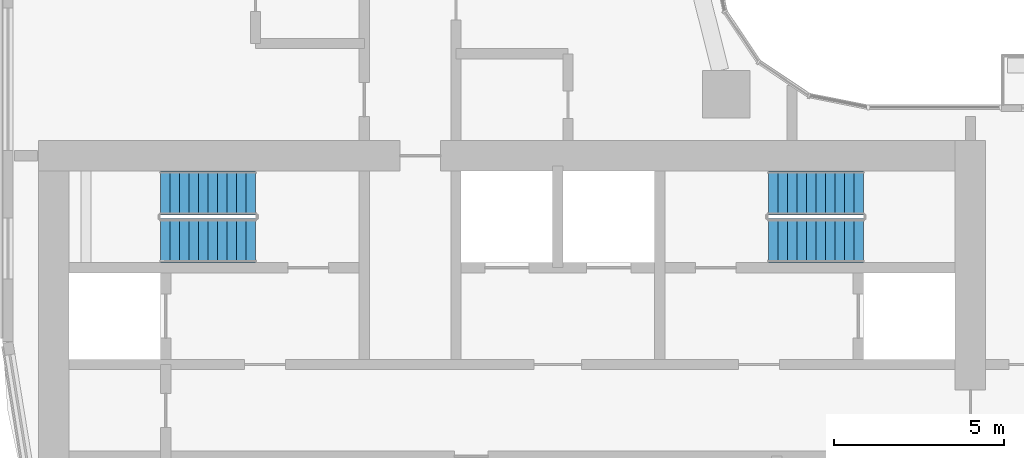
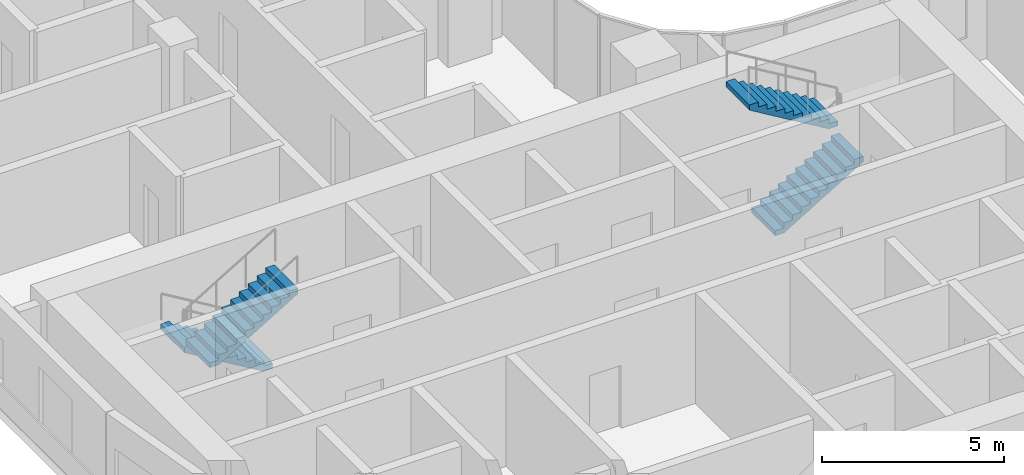
# One storey, part 23 of 31: 4 stair flights, 2 elements without a shape of their own.
"""IFC4 building model written with IfcOpenShell, lengths in metres."""

import ifcopenshell
import ifcopenshell.guid

model = None  # the IFC model being written
_history = None  # IfcOwnerHistory: only IFC2X3 demands one
_inside = {}  # id of a spatial element -> (the spatial element, [elements in it])
_under = {}  # id of a project, library or spatial element -> (it, [spatial elements below it])
_declared = {}  # id of a project -> (the project, [libraries it declares])
_typed = {}  # id of a type object -> (the type object, [elements of that type])
_made_of = {}  # id of a material, layer set ... -> (it, [elements and type objects made of it])


def new_model(schema):
    """Start an empty IFC model of exactly this schema.

    Asked for "IFC4X3", IfcOpenShell would pick the latest addendum, in which some entities
    have other attributes; the version numbers below select the first issue.
    IFC2X3 requires an IfcOwnerHistory on every rooted entity: one is made here for all.
    """
    global model, _history
    if schema == "IFC4X3":
        model = ifcopenshell.file(schema_version=(4, 3, 0, 0))
    else:
        model = ifcopenshell.file(schema=schema)
    _inside.clear()
    _under.clear()
    _declared.clear()
    _typed.clear()
    _made_of.clear()
    _history = None
    if model.schema == "IFC2X3":
        org = make("IfcOrganization", Name="unknown")
        user = make(
            "IfcPersonAndOrganization",
            ThePerson=make("IfcPerson", FamilyName="unknown"),
            TheOrganization=org,
        )
        app = make(
            "IfcApplication",
            ApplicationDeveloper=org,
            Version="unknown",
            ApplicationFullName="unknown",
            ApplicationIdentifier="unknown",
        )
        _history = make(
            "IfcOwnerHistory",
            OwningUser=user,
            OwningApplication=app,
            ChangeAction="ADDED",
            CreationDate=0,
        )
    return model


def make(cls, **values):
    """One entity of the class cls with the attributes given. An attribute that is None is left unset."""
    return model.create_entity(
        cls, **{name: value for name, value in values.items() if value is not None}
    )


def rooted(cls, **values):
    """An entity with a GlobalId (a new one), such as an element, a storey or a relation."""
    return make(cls, GlobalId=ifcopenshell.guid.new(), OwnerHistory=_history, **values)


def si_unit(unit_type, name, prefix=None):
    """IfcSIUnit, for example si_unit("LENGTHUNIT", "METRE", prefix="MILLI")."""
    return make("IfcSIUnit", UnitType=unit_type, Prefix=prefix, Name=name)


def assignment(units):
    """IfcUnitAssignment: the units of a project."""
    return None if units is None else make("IfcUnitAssignment", Units=units)


def point(xyz):
    """IfcCartesianPoint."""
    return None if xyz is None else make("IfcCartesianPoint", Coordinates=xyz)


def direction(xyz):
    """IfcDirection."""
    return None if xyz is None else make("IfcDirection", DirectionRatios=xyz)


def frame(location, z_axis=None, x_axis=None):
    """IfcAxis2Placement3D, a coordinate frame: its origin and axes. An axis left out is left unset."""
    return make(
        "IfcAxis2Placement3D",
        Location=point(location),
        Axis=direction(z_axis),
        RefDirection=direction(x_axis),
    )


def origin():
    """The frame at (0, 0, 0) with its axes left unset."""
    return frame((0.0, 0.0, 0.0))


def place(relative_to, where):
    """IfcLocalPlacement: puts the frame where relative to a parent placement (None: the world)."""
    return make(
        "IfcLocalPlacement", PlacementRelTo=relative_to, RelativePlacement=where
    )


def context(
    kind, dimensions, precision=None, world=None, true_north=None, identifier=None
):
    """IfcGeometricRepresentationContext, for example the 3D "Model" context."""
    return make(
        "IfcGeometricRepresentationContext",
        ContextIdentifier=identifier,
        ContextType=kind,
        CoordinateSpaceDimension=dimensions,
        Precision=precision,
        WorldCoordinateSystem=world,
        TrueNorth=true_north,
    )


def subcontext(parent, identifier, kind, view, scale=None):
    """IfcGeometricRepresentationSubContext, for example "Body" below "Model"."""
    return make(
        "IfcGeometricRepresentationSubContext",
        ContextIdentifier=identifier,
        ContextType=kind,
        ParentContext=parent,
        TargetScale=scale,
        TargetView=view,
    )


def project(units=None, contexts=None):
    """IfcProject with its units and contexts."""
    return rooted(
        "IfcProject",
        Name="project",
        RepresentationContexts=contexts,
        UnitsInContext=assignment(units),
    )


def spatial(cls, under=None, at=None, **own):
    """A site, building, storey or space (cls), placed at a placement, below another one or the project."""
    s = rooted(cls, ObjectPlacement=at, **own)
    if under is not None:
        _under.setdefault(under.id(), (under, []))[1].append(s)
    return s


def point_list(points):
    """IfcCartesianPointList2D or 3D."""
    cls = (
        "IfcCartesianPointList2D" if len(points[0]) == 2 else "IfcCartesianPointList3D"
    )
    return make(cls, CoordList=points)


def triangles(points, corners, closed=None, point_numbers=None):
    """IfcTriangulatedFaceSet: each triangle names its three corners, points numbered from 1."""
    return make(
        "IfcTriangulatedFaceSet",
        Coordinates=point_list(points),
        Closed=closed,
        CoordIndex=corners,
        PnIndex=point_numbers,
    )


def shape(context_of_items, identifier, shape_type, items):
    """IfcShapeRepresentation: the items that make up one representation, for example the "Body"."""
    return make(
        "IfcShapeRepresentation",
        ContextOfItems=context_of_items,
        RepresentationIdentifier=identifier,
        RepresentationType=shape_type,
        Items=items,
    )


def source(mapping_origin, context_of_items, identifier, shape_type, items):
    """IfcRepresentationMap: a shape defined once, which mapped items show again and again."""
    return make(
        "IfcRepresentationMap",
        MappingOrigin=mapping_origin,
        MappedRepresentation=shape(context_of_items, identifier, shape_type, items),
    )


def transform(
    local_origin,
    x_axis=None,
    y_axis=None,
    z_axis=None,
    scale=None,
    scale2=None,
    scale3=None,
    uniform=True,
):
    """IfcCartesianTransformationOperator3D, or its non-uniform kind. x_axis, y_axis, z_axis: its Axis1, 2, 3."""
    if uniform:
        return make(
            "IfcCartesianTransformationOperator3D",
            Axis1=direction(x_axis),
            Axis2=direction(y_axis),
            LocalOrigin=point(local_origin),
            Scale=scale,
            Axis3=direction(z_axis),
        )
    return make(
        "IfcCartesianTransformationOperator3DnonUniform",
        Axis1=direction(x_axis),
        Axis2=direction(y_axis),
        LocalOrigin=point(local_origin),
        Scale=scale,
        Axis3=direction(z_axis),
        Scale2=scale2,
        Scale3=scale3,
    )


def mapped(mapping_source, mapping_target):
    """IfcMappedItem: shows the shape of a source again, moved by a transform."""
    return make(
        "IfcMappedItem", MappingSource=mapping_source, MappingTarget=mapping_target
    )


def material(Name=None, Category=None):
    """IfcMaterial."""
    return make("IfcMaterial", Name=Name, Category=Category)


def made_of(thing, what):
    """Note that an element or type object is made of a material, layer set ...; save() writes the relation."""
    if what is not None:
        _made_of.setdefault(what.id(), (what, []))[1].append(thing)
    return thing


def type_object(cls, material=None, **own):
    """A type object (cls), such as IfcWallType, which elements share."""
    return made_of(rooted(cls, **own), material)


def element(
    cls,
    number,
    at=None,
    inside=None,
    cuts=None,
    type_object=None,
    material=None,
    context=None,
    identifier="Body",
    shape_type=None,
    held_by="IfcProductDefinitionShape",
    body=None,
    shapes=None,
    **own,
):
    """One element of the class cls, such as IfcWall. Its Tag is "e" and its number.

    at: its placement. inside: the storey or other place that contains it. cuts: it is an
    opening in that element (IfcRelVoidsElement). A single representation is given by context,
    identifier, shape_type and body (its items); several are given by shapes. held_by: the class
    of the entity that holds the representations. save() writes the other relations.
    """
    e = rooted(cls, Tag="e%d" % number, ObjectPlacement=at, **own)
    if body is not None:
        shapes = [shape(context, identifier, shape_type, body)]
    if shapes is not None:
        e.Representation = make(held_by, Representations=shapes)
    if inside is not None:
        _inside.setdefault(inside.id(), (inside, []))[1].append(e)
    if cuts is not None:
        rooted(
            "IfcRelVoidsElement", RelatingBuildingElement=cuts, RelatedOpeningElement=e
        )
    if type_object is not None:
        _typed.setdefault(type_object.id(), (type_object, []))[1].append(e)
    return made_of(e, material)


def aggregate(whole, parts):
    """IfcRelAggregates: a whole, such as a stair, and the parts it consists of."""
    return rooted("IfcRelAggregates", RelatingObject=whole, RelatedObjects=parts)


def save(model, path):
    """Write the relations noted so far, then the file.

    IfcRelAggregates (storeys below a building ...), IfcRelContainedInSpatialStructure (elements
    in a storey), IfcRelDefinesByType, IfcRelAssociatesMaterial and IfcRelDeclares: one each for
    every whole, place, type object, material and project.
    """
    for whole, parts in _under.values():
        aggregate(whole, parts)
    for where, things in _inside.values():
        rooted(
            "IfcRelContainedInSpatialStructure",
            RelatedElements=things,
            RelatingStructure=where,
        )
    for kind, things in _typed.values():
        rooted("IfcRelDefinesByType", RelatedObjects=things, RelatingType=kind)
    for what, things in _made_of.values():
        rooted("IfcRelAssociatesMaterial", RelatedObjects=things, RelatingMaterial=what)
    for by, libraries in _declared.values():
        rooted("IfcRelDeclares", RelatingContext=by, RelatedDefinitions=libraries)
    model.write(path)


model = new_model("IFC4")

# Units and contexts
model_context = context("Model", 3, precision=1e-05, world=origin(), true_north=direction((0.0, 1.0)))
body_context = subcontext(model_context, "Body", "Model", "MODEL_VIEW")
ifc_project = project(units=[si_unit("LENGTHUNIT", "METRE"), si_unit("AREAUNIT", "SQUARE_METRE"), si_unit("VOLUMEUNIT", "CUBIC_METRE"), si_unit("PLANEANGLEUNIT", "RADIAN"), si_unit("MASSUNIT", "GRAM", prefix="KILO")], contexts=[model_context])

# Site, building, storey
site_placement = place(None, origin())
site = spatial("IfcSite", under=ifc_project, at=site_placement, CompositionType="ELEMENT")
building_placement = place(site_placement, origin())
building = spatial("IfcBuilding", under=site, at=building_placement, Name="Ogive Portal Towers", CompositionType="ELEMENT")
storey_placement = place(building_placement, frame((0.0, 0.0, 74.199951171875)))
storey = spatial("IfcBuildingStorey", under=building, at=storey_placement, Name="L17", CompositionType="ELEMENT", Elevation=74.199951171875)

# Stair, stair flights
ifc_material = material(Name="Concrete C40/50", Category="concrete")
stair_type = type_object("IfcStairType", Name="INT-STAIR", PredefinedType="HALF_TURN_STAIR", material=ifc_material)
stair_1_placement = place(storey_placement, origin())
stair_1 = element("IfcStair", 1, at=stair_1_placement, inside=storey, type_object=stair_type, Name="L17 Exit Stair ST-A1", PredefinedType="HALF_TURN_STAIR")
stair_flight_type = type_object("IfcStairFlightType", Name="INT-FLIGHT", PredefinedType="STRAIGHT", material=ifc_material)
shared_shape = source(origin(), body_context, "Body", "Tessellation", [
    triangles([(0.0, -0.650146484375, 0.0), (0.0, -0.376220703125, 0.0), (0.0, -0.192626953125, 0.0), (0.0, -0.081298828125, 0.0), (0.0, -0.024169921875, 0.0), (0.0, -0.003173828125, 0.0), (0.0, 0.0, 0.0), (0.0, 0.0029296875, 0.0), (0.0, 0.02392578125, 0.0), (0.0, 0.0810546875, 0.0), (0.0, 0.1923828125, 0.0), (0.0, 0.3759765625, 0.0), (0.0, 0.64990234375, 0.0), (0.0, -0.650146484375, 0.168212890625), (0.0, -0.376220703125, 0.168212890625), (0.0, -0.192626953125, 0.168212890625), (0.0, -0.081298828125, 0.168212890625), (0.0, -0.024169921875, 0.168212890625), (0.0, -0.003173828125, 0.168212890625), (0.0, 0.0, 0.168212890625), (0.0, 0.0029296875, 0.168212890625), (0.0, 0.02392578125, 0.168212890625), (0.0, 0.0810546875, 0.168212890625), (0.0, 0.1923828125, 0.168212890625), (0.0, 0.3759765625, 0.168212890625), (0.0, 0.64990234375, 0.168212890625), (0.280029296875, -0.650146484375, 0.168212890625), (0.280029296875, -0.376220703125, 0.168212890625), (0.280029296875, -0.192626953125, 0.168212890625), (0.280029296875, -0.081298828125, 0.168212890625), (0.280029296875, -0.024169921875, 0.168212890625), (0.280029296875, -0.003173828125, 0.168212890625), (0.280029296875, 0.0, 0.168212890625), (0.280029296875, 0.0029296875, 0.168212890625), (0.280029296875, 0.02392578125, 0.168212890625), (0.280029296875, 0.0810546875, 0.168212890625), (0.280029296875, 0.1923828125, 0.168212890625), (0.280029296875, 0.3759765625, 0.168212890625), (0.280029296875, 0.64990234375, 0.168212890625), (0.280029296875, -0.650146484375, 0.33642578125), (0.280029296875, -0.376220703125, 0.33642578125), (0.280029296875, -0.192626953125, 0.33642578125), (0.280029296875, -0.081298828125, 0.33642578125), (0.280029296875, -0.024169921875, 0.33642578125), (0.280029296875, -0.003173828125, 0.33642578125), (0.280029296875, 0.0, 0.33642578125), (0.280029296875, 0.0029296875, 0.33642578125), (0.280029296875, 0.02392578125, 0.33642578125), (0.280029296875, 0.0810546875, 0.33642578125), (0.280029296875, 0.1923828125, 0.33642578125), (0.280029296875, 0.3759765625, 0.33642578125), (0.280029296875, 0.64990234375, 0.33642578125), (0.56005859375, -0.650146484375, 0.33642578125), (0.56005859375, -0.376220703125, 0.33642578125), (0.56005859375, -0.192626953125, 0.33642578125), (0.56005859375, -0.081298828125, 0.33642578125), (0.56005859375, -0.024169921875, 0.33642578125), (0.56005859375, -0.003173828125, 0.33642578125), (0.56005859375, 0.0, 0.33642578125), (0.56005859375, 0.0029296875, 0.33642578125), (0.56005859375, 0.02392578125, 0.33642578125), (0.56005859375, 0.0810546875, 0.33642578125), (0.56005859375, 0.1923828125, 0.33642578125), (0.56005859375, 0.3759765625, 0.33642578125), (0.56005859375, 0.64990234375, 0.33642578125), (0.56005859375, -0.650146484375, 0.504638671875), (0.56005859375, -0.376220703125, 0.504638671875), (0.56005859375, -0.192626953125, 0.504638671875), (0.56005859375, -0.081298828125, 0.504638671875), (0.56005859375, -0.024169921875, 0.504638671875), (0.56005859375, -0.003173828125, 0.504638671875), (0.56005859375, 0.0, 0.504638671875), (0.56005859375, 0.0029296875, 0.504638671875), (0.56005859375, 0.02392578125, 0.504638671875), (0.56005859375, 0.0810546875, 0.504638671875), (0.56005859375, 0.1923828125, 0.504638671875), (0.56005859375, 0.3759765625, 0.504638671875), (0.56005859375, 0.64990234375, 0.504638671875), (0.840087890625, -0.650146484375, 0.504638671875), (0.840087890625, -0.376220703125, 0.504638671875), (0.840087890625, -0.192626953125, 0.504638671875), (0.840087890625, -0.081298828125, 0.504638671875), (0.840087890625, -0.024169921875, 0.504638671875), (0.840087890625, -0.003173828125, 0.504638671875), (0.840087890625, 0.0, 0.504638671875), (0.840087890625, 0.0029296875, 0.504638671875), (0.840087890625, 0.02392578125, 0.504638671875), (0.840087890625, 0.0810546875, 0.504638671875), (0.840087890625, 0.1923828125, 0.504638671875), (0.840087890625, 0.3759765625, 0.504638671875), (0.840087890625, 0.64990234375, 0.504638671875), (0.840087890625, -0.650146484375, 0.672607421875), (0.840087890625, -0.376220703125, 0.672607421875), (0.840087890625, -0.192626953125, 0.672607421875), (0.840087890625, -0.081298828125, 0.672607421875), (0.840087890625, -0.024169921875, 0.672607421875), (0.840087890625, -0.003173828125, 0.672607421875), (0.840087890625, 0.0, 0.672607421875), (0.840087890625, 0.0029296875, 0.672607421875), (0.840087890625, 0.02392578125, 0.672607421875), (0.840087890625, 0.0810546875, 0.672607421875), (0.840087890625, 0.1923828125, 0.672607421875), (0.840087890625, 0.3759765625, 0.672607421875), (0.840087890625, 0.64990234375, 0.672607421875), (1.1201171875, -0.650146484375, 0.672607421875), (1.1201171875, -0.376220703125, 0.672607421875), (1.1201171875, -0.192626953125, 0.672607421875), (1.1201171875, -0.081298828125, 0.672607421875), (1.1201171875, -0.024169921875, 0.672607421875), (1.1201171875, -0.003173828125, 0.672607421875), (1.1201171875, 0.0, 0.672607421875), (1.1201171875, 0.0029296875, 0.672607421875), (1.1201171875, 0.02392578125, 0.672607421875), (1.1201171875, 0.0810546875, 0.672607421875), (1.1201171875, 0.1923828125, 0.672607421875), (1.1201171875, 0.3759765625, 0.672607421875), (1.1201171875, 0.64990234375, 0.672607421875), (1.1201171875, -0.650146484375, 0.8408203125), (1.1201171875, -0.376220703125, 0.8408203125), (1.1201171875, -0.192626953125, 0.8408203125), (1.1201171875, -0.081298828125, 0.8408203125), (1.1201171875, -0.024169921875, 0.8408203125), (1.1201171875, -0.003173828125, 0.8408203125), (1.1201171875, 0.0, 0.8408203125), (1.1201171875, 0.0029296875, 0.8408203125), (1.1201171875, 0.02392578125, 0.8408203125), (1.1201171875, 0.0810546875, 0.8408203125), (1.1201171875, 0.1923828125, 0.8408203125), (1.1201171875, 0.3759765625, 0.8408203125), (1.1201171875, 0.64990234375, 0.8408203125), (1.39990234375, -0.650146484375, 0.8408203125), (1.39990234375, -0.376220703125, 0.8408203125), (1.39990234375, -0.192626953125, 0.8408203125), (1.39990234375, -0.081298828125, 0.8408203125), (1.39990234375, -0.024169921875, 0.8408203125), (1.39990234375, -0.003173828125, 0.8408203125), (1.39990234375, 0.0, 0.8408203125), (1.39990234375, 0.0029296875, 0.8408203125), (1.39990234375, 0.02392578125, 0.8408203125), (1.39990234375, 0.0810546875, 0.8408203125), (1.39990234375, 0.1923828125, 0.8408203125), (1.39990234375, 0.3759765625, 0.8408203125), (1.39990234375, 0.64990234375, 0.8408203125), (1.39990234375, -0.650146484375, 1.009033203125), (1.39990234375, -0.376220703125, 1.009033203125), (1.39990234375, -0.192626953125, 1.009033203125), (1.39990234375, -0.081298828125, 1.009033203125), (1.39990234375, -0.024169921875, 1.009033203125), (1.39990234375, -0.003173828125, 1.009033203125), (1.39990234375, 0.0, 1.009033203125), (1.39990234375, 0.0029296875, 1.009033203125), (1.39990234375, 0.02392578125, 1.009033203125), (1.39990234375, 0.0810546875, 1.009033203125), (1.39990234375, 0.1923828125, 1.009033203125), (1.39990234375, 0.3759765625, 1.009033203125), (1.39990234375, 0.64990234375, 1.009033203125), (1.679931640625, -0.650146484375, 1.009033203125), (1.679931640625, -0.376220703125, 1.009033203125), (1.679931640625, -0.192626953125, 1.009033203125), (1.679931640625, -0.081298828125, 1.009033203125), (1.679931640625, -0.024169921875, 1.009033203125), (1.679931640625, -0.003173828125, 1.009033203125), (1.679931640625, 0.0, 1.009033203125), (1.679931640625, 0.0029296875, 1.009033203125), (1.679931640625, 0.02392578125, 1.009033203125), (1.679931640625, 0.0810546875, 1.009033203125), (1.679931640625, 0.1923828125, 1.009033203125), (1.679931640625, 0.3759765625, 1.009033203125), (1.679931640625, 0.64990234375, 1.009033203125), (1.679931640625, -0.650146484375, 1.17724609375), (1.679931640625, -0.376220703125, 1.17724609375), (1.679931640625, -0.192626953125, 1.17724609375), (1.679931640625, -0.081298828125, 1.17724609375), (1.679931640625, -0.024169921875, 1.17724609375), (1.679931640625, -0.003173828125, 1.17724609375), (1.679931640625, 0.0, 1.17724609375), (1.679931640625, 0.0029296875, 1.17724609375), (1.679931640625, 0.02392578125, 1.17724609375), (1.679931640625, 0.0810546875, 1.17724609375), (1.679931640625, 0.1923828125, 1.17724609375), (1.679931640625, 0.3759765625, 1.17724609375), (1.679931640625, 0.64990234375, 1.17724609375), (1.9599609375, -0.650146484375, 1.17724609375), (1.9599609375, -0.376220703125, 1.17724609375), (1.9599609375, -0.192626953125, 1.17724609375), (1.9599609375, -0.081298828125, 1.17724609375), (1.9599609375, -0.024169921875, 1.17724609375), (1.9599609375, -0.003173828125, 1.17724609375), (1.9599609375, 0.0, 1.17724609375), (1.9599609375, 0.0029296875, 1.17724609375), (1.9599609375, 0.02392578125, 1.17724609375), (1.9599609375, 0.0810546875, 1.17724609375), (1.9599609375, 0.1923828125, 1.17724609375), (1.9599609375, 0.3759765625, 1.17724609375), (1.9599609375, 0.64990234375, 1.17724609375), (1.9599609375, -0.650146484375, 1.345458984375), (1.9599609375, -0.376220703125, 1.345458984375), (1.9599609375, -0.192626953125, 1.345458984375), (1.9599609375, -0.081298828125, 1.345458984375), (1.9599609375, -0.024169921875, 1.345458984375), (1.9599609375, -0.003173828125, 1.345458984375), (1.9599609375, 0.0, 1.345458984375), (1.9599609375, 0.0029296875, 1.345458984375), (1.9599609375, 0.02392578125, 1.345458984375), (1.9599609375, 0.0810546875, 1.345458984375), (1.9599609375, 0.1923828125, 1.345458984375), (1.9599609375, 0.3759765625, 1.345458984375), (1.9599609375, 0.64990234375, 1.345458984375), (2.239990234375, -0.650146484375, 1.345458984375), (2.239990234375, -0.376220703125, 1.345458984375), (2.239990234375, -0.192626953125, 1.345458984375), (2.239990234375, -0.081298828125, 1.345458984375), (2.239990234375, -0.024169921875, 1.345458984375), (2.239990234375, -0.003173828125, 1.345458984375), (2.239990234375, 0.0, 1.345458984375), (2.239990234375, 0.0029296875, 1.345458984375), (2.239990234375, 0.02392578125, 1.345458984375), (2.239990234375, 0.0810546875, 1.345458984375), (2.239990234375, 0.1923828125, 1.345458984375), (2.239990234375, 0.3759765625, 1.345458984375), (2.239990234375, 0.64990234375, 1.345458984375), (2.239990234375, -0.650146484375, 1.513671875), (2.239990234375, -0.376220703125, 1.513671875), (2.239990234375, -0.192626953125, 1.513671875), (2.239990234375, -0.081298828125, 1.513671875), (2.239990234375, -0.024169921875, 1.513671875), (2.239990234375, -0.003173828125, 1.513671875), (2.239990234375, 0.0, 1.513671875), (2.239990234375, 0.0029296875, 1.513671875), (2.239990234375, 0.02392578125, 1.513671875), (2.239990234375, 0.0810546875, 1.513671875), (2.239990234375, 0.1923828125, 1.513671875), (2.239990234375, 0.3759765625, 1.513671875), (2.239990234375, 0.64990234375, 1.513671875), (2.52001953125, -0.650146484375, 1.513671875), (2.52001953125, -0.376220703125, 1.513671875), (2.52001953125, -0.192626953125, 1.513671875), (2.52001953125, -0.081298828125, 1.513671875), (2.52001953125, -0.024169921875, 1.513671875), (2.52001953125, -0.003173828125, 1.513671875), (2.52001953125, 0.0, 1.513671875), (2.52001953125, 0.0029296875, 1.513671875), (2.52001953125, 0.02392578125, 1.513671875), (2.52001953125, 0.0810546875, 1.513671875), (2.52001953125, 0.1923828125, 1.513671875), (2.52001953125, 0.3759765625, 1.513671875), (2.52001953125, 0.64990234375, 1.513671875), (2.52001953125, -0.650146484375, 1.681884765625), (2.52001953125, -0.376220703125, 1.681884765625), (2.52001953125, -0.192626953125, 1.681884765625), (2.52001953125, -0.081298828125, 1.681884765625), (2.52001953125, -0.024169921875, 1.681884765625), (2.52001953125, -0.003173828125, 1.681884765625), (2.52001953125, 0.0, 1.681884765625), (2.52001953125, 0.0029296875, 1.681884765625), (2.52001953125, 0.02392578125, 1.681884765625), (2.52001953125, 0.0810546875, 1.681884765625), (2.52001953125, 0.1923828125, 1.681884765625), (2.52001953125, 0.3759765625, 1.681884765625), (2.52001953125, 0.64990234375, 1.681884765625), (2.800048828125, -0.650146484375, 1.681884765625), (2.800048828125, -0.376220703125, 1.681884765625), (2.800048828125, -0.192626953125, 1.681884765625), (2.800048828125, -0.081298828125, 1.681884765625), (2.800048828125, -0.024169921875, 1.681884765625), (2.800048828125, -0.003173828125, 1.681884765625), (2.800048828125, 0.0, 1.681884765625), (2.800048828125, 0.0029296875, 1.681884765625), (2.800048828125, 0.02392578125, 1.681884765625), (2.800048828125, 0.0810546875, 1.681884765625), (2.800048828125, 0.1923828125, 1.681884765625), (2.800048828125, 0.3759765625, 1.681884765625), (2.800048828125, 0.64990234375, 1.681884765625), (2.800048828125, -0.650146484375, 1.5068359375), (2.800048828125, -0.376220703125, 1.5068359375), (2.800048828125, -0.192626953125, 1.5068359375), (2.800048828125, -0.081298828125, 1.5068359375), (2.800048828125, -0.024169921875, 1.5068359375), (2.800048828125, -0.003173828125, 1.5068359375), (2.800048828125, 0.0, 1.5068359375), (2.800048828125, 0.0029296875, 1.5068359375), (2.800048828125, 0.02392578125, 1.5068359375), (2.800048828125, 0.0810546875, 1.5068359375), (2.800048828125, 0.1923828125, 1.5068359375), (2.800048828125, 0.3759765625, 1.5068359375), (2.800048828125, 0.64990234375, 1.5068359375), (0.291015625, -0.650146484375, 0.0), (0.291015625, -0.376220703125, 0.0), (0.291015625, -0.192626953125, 0.0), (0.291015625, -0.081298828125, 0.0), (0.291015625, -0.024169921875, 0.0), (0.291015625, -0.003173828125, 0.0), (0.291015625, 0.0, 0.0), (0.291015625, 0.0029296875, 0.0), (0.291015625, 0.02392578125, 0.0), (0.291015625, 0.0810546875, 0.0), (0.291015625, 0.1923828125, 0.0), (0.291015625, 0.3759765625, 0.0), (0.291015625, 0.64990234375, 0.0)], [[1, 14, 15], [1, 15, 2], [2, 15, 16], [2, 16, 3], [3, 16, 17], [3, 17, 4], [4, 17, 18], [4, 18, 5], [5, 18, 19], [5, 19, 6], [6, 19, 20], [6, 20, 7], [7, 20, 21], [7, 21, 8], [8, 21, 22], [8, 22, 9], [9, 22, 23], [9, 23, 10], [10, 23, 24], [10, 24, 11], [11, 24, 25], [11, 25, 12], [12, 25, 26], [12, 26, 13], [14, 27, 28], [14, 28, 15], [15, 28, 29], [15, 29, 16], [16, 29, 30], [16, 30, 17], [17, 30, 31], [17, 31, 18], [18, 31, 32], [18, 32, 19], [19, 32, 33], [19, 33, 20], [20, 33, 34], [20, 34, 21], [21, 34, 35], [21, 35, 22], [22, 35, 36], [22, 36, 23], [23, 36, 37], [23, 37, 24], [24, 37, 38], [24, 38, 25], [25, 38, 39], [25, 39, 26], [27, 40, 41], [27, 41, 28], [28, 41, 42], [28, 42, 29], [29, 42, 43], [29, 43, 30], [30, 43, 44], [30, 44, 31], [31, 44, 45], [31, 45, 32], [32, 45, 46], [32, 46, 33], [33, 46, 47], [33, 47, 34], [34, 47, 48], [34, 48, 35], [35, 48, 49], [35, 49, 36], [36, 49, 50], [36, 50, 37], [37, 50, 51], [37, 51, 38], [38, 51, 52], [38, 52, 39], [40, 53, 54], [40, 54, 41], [41, 54, 55], [41, 55, 42], [42, 55, 56], [42, 56, 43], [43, 56, 57], [43, 57, 44], [44, 57, 58], [44, 58, 45], [45, 58, 59], [45, 59, 46], [46, 59, 60], [46, 60, 47], [47, 60, 61], [47, 61, 48], [48, 61, 62], [48, 62, 49], [49, 62, 63], [49, 63, 50], [50, 63, 64], [50, 64, 51], [51, 64, 65], [51, 65, 52], [53, 66, 67], [53, 67, 54], [54, 67, 68], [54, 68, 55], [55, 68, 69], [55, 69, 56], [56, 69, 70], [56, 70, 57], [57, 70, 71], [57, 71, 58], [58, 71, 72], [58, 72, 59], [59, 72, 73], [59, 73, 60], [60, 73, 74], [60, 74, 61], [61, 74, 75], [61, 75, 62], [62, 75, 76], [62, 76, 63], [63, 76, 77], [63, 77, 64], [64, 77, 78], [64, 78, 65], [66, 79, 80], [66, 80, 67], [67, 80, 81], [67, 81, 68], [68, 81, 82], [68, 82, 69], [69, 82, 83], [69, 83, 70], [70, 83, 84], [70, 84, 71], [71, 84, 85], [71, 85, 72], [72, 85, 86], [72, 86, 73], [73, 86, 87], [73, 87, 74], [74, 87, 88], [74, 88, 75], [75, 88, 89], [75, 89, 76], [76, 89, 90], [76, 90, 77], [77, 90, 91], [77, 91, 78], [79, 92, 93], [79, 93, 80], [80, 93, 94], [80, 94, 81], [81, 94, 95], [81, 95, 82], [82, 95, 96], [82, 96, 83], [83, 96, 97], [83, 97, 84], [84, 97, 98], [84, 98, 85], [85, 98, 99], [85, 99, 86], [86, 99, 100], [86, 100, 87], [87, 100, 101], [87, 101, 88], [88, 101, 102], [88, 102, 89], [89, 102, 103], [89, 103, 90], [90, 103, 104], [90, 104, 91], [92, 105, 106], [92, 106, 93], [93, 106, 107], [93, 107, 94], [94, 107, 108], [94, 108, 95], [95, 108, 109], [95, 109, 96], [96, 109, 110], [96, 110, 97], [97, 110, 111], [97, 111, 98], [98, 111, 112], [98, 112, 99], [99, 112, 113], [99, 113, 100], [100, 113, 114], [100, 114, 101], [101, 114, 115], [101, 115, 102], [102, 115, 116], [102, 116, 103], [103, 116, 117], [103, 117, 104], [105, 118, 119], [105, 119, 106], [106, 119, 120], [106, 120, 107], [107, 120, 121], [107, 121, 108], [108, 121, 122], [108, 122, 109], [109, 122, 123], [109, 123, 110], [110, 123, 124], [110, 124, 111], [111, 124, 125], [111, 125, 112], [112, 125, 126], [112, 126, 113], [113, 126, 127], [113, 127, 114], [114, 127, 128], [114, 128, 115], [115, 128, 129], [115, 129, 116], [116, 129, 130], [116, 130, 117], [118, 131, 132], [118, 132, 119], [119, 132, 133], [119, 133, 120], [120, 133, 134], [120, 134, 121], [121, 134, 135], [121, 135, 122], [122, 135, 136], [122, 136, 123], [123, 136, 137], [123, 137, 124], [124, 137, 138], [124, 138, 125], [125, 138, 139], [125, 139, 126], [126, 139, 140], [126, 140, 127], [127, 140, 141], [127, 141, 128], [128, 141, 142], [128, 142, 129], [129, 142, 143], [129, 143, 130], [131, 144, 145], [131, 145, 132], [132, 145, 146], [132, 146, 133], [133, 146, 147], [133, 147, 134], [134, 147, 148], [134, 148, 135], [135, 148, 149], [135, 149, 136], [136, 149, 150], [136, 150, 137], [137, 150, 151], [137, 151, 138], [138, 151, 152], [138, 152, 139], [139, 152, 153], [139, 153, 140], [140, 153, 154], [140, 154, 141], [141, 154, 155], [141, 155, 142], [142, 155, 156], [142, 156, 143], [144, 157, 158], [144, 158, 145], [145, 158, 159], [145, 159, 146], [146, 159, 160], [146, 160, 147], [147, 160, 161], [147, 161, 148], [148, 161, 162], [148, 162, 149], [149, 162, 163], [149, 163, 150], [150, 163, 164], [150, 164, 151], [151, 164, 165], [151, 165, 152], [152, 165, 166], [152, 166, 153], [153, 166, 167], [153, 167, 154], [154, 167, 168], [154, 168, 155], [155, 168, 169], [155, 169, 156], [157, 170, 171], [157, 171, 158], [158, 171, 172], [158, 172, 159], [159, 172, 173], [159, 173, 160], [160, 173, 174], [160, 174, 161], [161, 174, 175], [161, 175, 162], [162, 175, 176], [162, 176, 163], [163, 176, 177], [163, 177, 164], [164, 177, 178], [164, 178, 165], [165, 178, 179], [165, 179, 166], [166, 179, 180], [166, 180, 167], [167, 180, 181], [167, 181, 168], [168, 181, 182], [168, 182, 169], [170, 183, 184], [170, 184, 171], [171, 184, 185], [171, 185, 172], [172, 185, 186], [172, 186, 173], [173, 186, 187], [173, 187, 174], [174, 187, 188], [174, 188, 175], [175, 188, 189], [175, 189, 176], [176, 189, 190], [176, 190, 177], [177, 190, 191], [177, 191, 178], [178, 191, 192], [178, 192, 179], [179, 192, 193], [179, 193, 180], [180, 193, 194], [180, 194, 181], [181, 194, 195], [181, 195, 182], [183, 196, 197], [183, 197, 184], [184, 197, 198], [184, 198, 185], [185, 198, 199], [185, 199, 186], [186, 199, 200], [186, 200, 187], [187, 200, 201], [187, 201, 188], [188, 201, 202], [188, 202, 189], [189, 202, 203], [189, 203, 190], [190, 203, 204], [190, 204, 191], [191, 204, 205], [191, 205, 192], [192, 205, 206], [192, 206, 193], [193, 206, 207], [193, 207, 194], [194, 207, 208], [194, 208, 195], [196, 209, 210], [196, 210, 197], [197, 210, 211], [197, 211, 198], [198, 211, 212], [198, 212, 199], [199, 212, 213], [199, 213, 200], [200, 213, 214], [200, 214, 201], [201, 214, 215], [201, 215, 202], [202, 215, 216], [202, 216, 203], [203, 216, 217], [203, 217, 204], [204, 217, 218], [204, 218, 205], [205, 218, 219], [205, 219, 206], [206, 219, 220], [206, 220, 207], [207, 220, 221], [207, 221, 208], [209, 222, 223], [209, 223, 210], [210, 223, 224], [210, 224, 211], [211, 224, 225], [211, 225, 212], [212, 225, 226], [212, 226, 213], [213, 226, 227], [213, 227, 214], [214, 227, 228], [214, 228, 215], [215, 228, 229], [215, 229, 216], [216, 229, 230], [216, 230, 217], [217, 230, 231], [217, 231, 218], [218, 231, 232], [218, 232, 219], [219, 232, 233], [219, 233, 220], [220, 233, 234], [220, 234, 221], [222, 235, 236], [222, 236, 223], [223, 236, 237], [223, 237, 224], [224, 237, 238], [224, 238, 225], [225, 238, 239], [225, 239, 226], [226, 239, 240], [226, 240, 227], [227, 240, 241], [227, 241, 228], [228, 241, 242], [228, 242, 229], [229, 242, 243], [229, 243, 230], [230, 243, 244], [230, 244, 231], [231, 244, 245], [231, 245, 232], [232, 245, 246], [232, 246, 233], [233, 246, 247], [233, 247, 234], [235, 248, 249], [235, 249, 236], [236, 249, 250], [236, 250, 237], [237, 250, 251], [237, 251, 238], [238, 251, 252], [238, 252, 239], [239, 252, 253], [239, 253, 240], [240, 253, 254], [240, 254, 241], [241, 254, 255], [241, 255, 242], [242, 255, 256], [242, 256, 243], [243, 256, 257], [243, 257, 244], [244, 257, 258], [244, 258, 245], [245, 258, 259], [245, 259, 246], [246, 259, 260], [246, 260, 247], [248, 261, 262], [248, 262, 249], [249, 262, 263], [249, 263, 250], [250, 263, 264], [250, 264, 251], [251, 264, 265], [251, 265, 252], [252, 265, 266], [252, 266, 253], [253, 266, 267], [253, 267, 254], [254, 267, 268], [254, 268, 255], [255, 268, 269], [255, 269, 256], [256, 269, 270], [256, 270, 257], [257, 270, 271], [257, 271, 258], [258, 271, 272], [258, 272, 259], [259, 272, 273], [259, 273, 260], [261, 274, 275], [261, 275, 262], [262, 275, 276], [262, 276, 263], [263, 276, 277], [263, 277, 264], [264, 277, 278], [264, 278, 265], [265, 278, 279], [265, 279, 266], [266, 279, 280], [266, 280, 267], [267, 280, 281], [267, 281, 268], [268, 281, 282], [268, 282, 269], [269, 282, 283], [269, 283, 270], [270, 283, 284], [270, 284, 271], [271, 284, 285], [271, 285, 272], [272, 285, 286], [272, 286, 273], [274, 287, 288], [274, 288, 275], [275, 288, 289], [275, 289, 276], [276, 289, 290], [276, 290, 277], [277, 290, 291], [277, 291, 278], [278, 291, 292], [278, 292, 279], [279, 292, 293], [279, 293, 280], [280, 293, 294], [280, 294, 281], [281, 294, 295], [281, 295, 282], [282, 295, 296], [282, 296, 283], [283, 296, 297], [283, 297, 284], [284, 297, 298], [284, 298, 285], [285, 298, 299], [285, 299, 286], [287, 1, 2], [287, 2, 288], [288, 2, 3], [288, 3, 289], [289, 3, 4], [289, 4, 290], [290, 4, 5], [290, 5, 291], [291, 5, 6], [291, 6, 292], [292, 6, 7], [292, 7, 293], [293, 7, 8], [293, 8, 294], [294, 8, 9], [294, 9, 295], [295, 9, 10], [295, 10, 296], [296, 10, 11], [296, 11, 297], [297, 11, 12], [297, 12, 298], [298, 12, 13], [298, 13, 299], [1, 287, 274], [13, 286, 299], [274, 261, 248], [286, 260, 273], [274, 248, 235], [286, 247, 260], [274, 235, 222], [286, 234, 247], [274, 222, 209], [286, 221, 234], [209, 196, 183], [221, 195, 208], [274, 209, 183], [286, 195, 221], [183, 170, 157], [195, 169, 182], [274, 183, 157], [286, 169, 195], [157, 144, 131], [169, 143, 156], [274, 157, 131], [286, 143, 169], [131, 118, 105], [143, 117, 130], [274, 131, 105], [286, 117, 143], [1, 274, 105], [13, 117, 286], [105, 92, 79], [117, 91, 104], [79, 66, 53], [91, 65, 78], [105, 79, 53], [117, 65, 91], [53, 40, 27], [65, 39, 52], [105, 53, 27], [117, 39, 65], [1, 105, 27], [13, 39, 117], [27, 14, 1], [39, 13, 26]], closed=True),
])
stair_flight_1_placement = place(storey_placement, frame((37.449951171875, 38.39990234375, 0.0), z_axis=(0.0, 0.0, 1.0), x_axis=(-1.0, 0.0, 0.0)))
stair_flight_1 = element("IfcStairFlight", 2, at=stair_flight_1_placement, type_object=stair_flight_type, Name="ST-A1 flight 1", NumberOfRisers=11, NumberOfTreads=10, PredefinedType="STRAIGHT", RiserHeight=0.168181818, TreadLength=0.28, context=body_context, shape_type="MappedRepresentation", body=[
    mapped(shared_shape, transform((0.0, 0.0, 0.0), scale=1.0)),
])
stair_flight_2_placement = place(storey_placement, frame((34.64990234375, 37.0, 1.85009765625), z_axis=(0.0, 0.0, 1.0), x_axis=(1.0, 0.0, 0.0)))
stair_flight_2 = element("IfcStairFlight", 3, at=stair_flight_2_placement, type_object=stair_flight_type, Name="ST-A1 flight 2", NumberOfRisers=11, NumberOfTreads=10, PredefinedType="STRAIGHT", RiserHeight=0.168181818, TreadLength=0.28, context=body_context, shape_type="MappedRepresentation", body=[
    mapped(shared_shape, transform((0.0, 0.0, 0.0), scale=1.0)),
])
aggregate(stair_1, [stair_flight_1, stair_flight_2])

stair_2_placement = place(storey_placement, origin())
stair_2 = element("IfcStair", 4, at=stair_2_placement, inside=storey, type_object=stair_type, Name="L17 Exit Stair ST-A2", PredefinedType="HALF_TURN_STAIR")
stair_flight_3_placement = place(storey_placement, frame((52.550048828125, 37.0, 0.0), z_axis=(0.0, 0.0, 1.0), x_axis=(1.0, 0.0, 0.0)))
stair_flight_3 = element("IfcStairFlight", 5, at=stair_flight_3_placement, type_object=stair_flight_type, Name="ST-A2 flight 1", NumberOfRisers=11, NumberOfTreads=10, PredefinedType="STRAIGHT", RiserHeight=0.168181818, TreadLength=0.28, context=body_context, shape_type="MappedRepresentation", body=[
    mapped(shared_shape, transform((0.0, 0.0, 0.0), scale=1.0)),
])
stair_flight_4_placement = place(storey_placement, frame((55.35009765625, 38.39990234375, 1.85009765625), z_axis=(0.0, 0.0, 1.0), x_axis=(-1.0, 0.0, 0.0)))
stair_flight_4 = element("IfcStairFlight", 6, at=stair_flight_4_placement, type_object=stair_flight_type, Name="ST-A2 flight 2", NumberOfRisers=11, NumberOfTreads=10, PredefinedType="STRAIGHT", RiserHeight=0.168181818, TreadLength=0.28, context=body_context, shape_type="MappedRepresentation", body=[
    mapped(shared_shape, transform((0.0, 0.0, 0.0), scale=1.0)),
])
aggregate(stair_2, [stair_flight_3, stair_flight_4])

save(model, "model.ifc")
